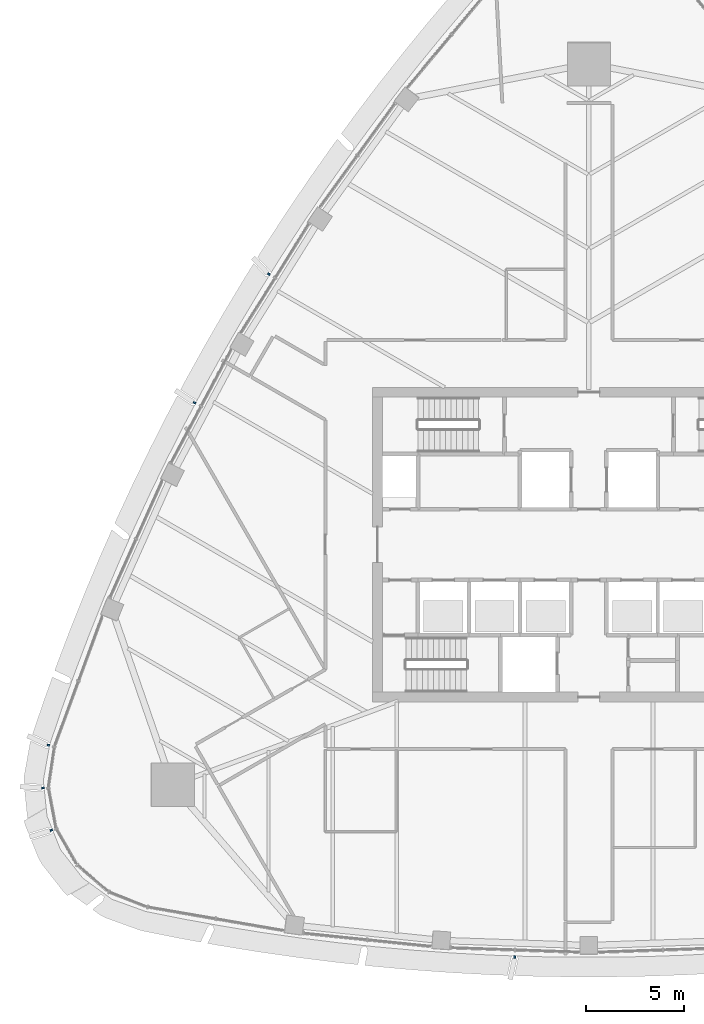
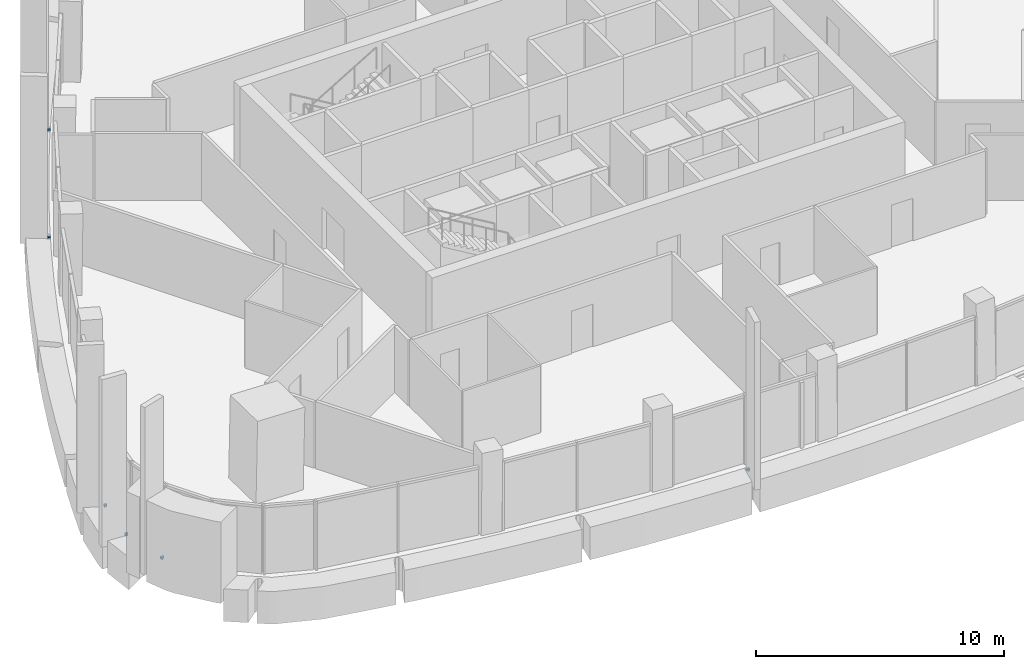
# One storey, part 12 of 16: 6 discrete accessories.
"""IFC4 building model written with IfcOpenShell, lengths in metres."""

from ifc_helpers import new_model, si_unit, direction, frame, origin, origin_2d, place, context, subcontext, project, spatial, rectangle, extrude, material, type_object, element, save


model = new_model("IFC4")

# Units and contexts
model_context = context("Model", 3, precision=1e-05, world=origin(), true_north=direction((0.0, 1.0)))
body_context = subcontext(model_context, "Body", "Model", "MODEL_VIEW")
ifc_project = project(units=[si_unit("LENGTHUNIT", "METRE"), si_unit("AREAUNIT", "SQUARE_METRE"), si_unit("VOLUMEUNIT", "CUBIC_METRE"), si_unit("PLANEANGLEUNIT", "RADIAN"), si_unit("MASSUNIT", "GRAM", prefix="KILO")], contexts=[model_context])

# Site, building, storey
site_placement = place(None, origin())
site = spatial("IfcSite", under=ifc_project, at=site_placement, CompositionType="ELEMENT")
building_placement = place(site_placement, origin())
building = spatial("IfcBuilding", under=site, at=building_placement, Name="Sierra Prisma Convention Tower", CompositionType="ELEMENT")
storey_placement = place(building_placement, frame((0.0, 0.0, 271.0)))
storey = spatial("IfcBuildingStorey", under=building, at=storey_placement, Name="L61", CompositionType="ELEMENT", Elevation=271.0)

# Discrete accessories
ifc_material = material(Name="Stainless steel 316", Category="steel")
discrete_accessory_type = type_object("IfcDiscreteAccessoryType", Name="Fin bracket", PredefinedType="BRACKET", material=ifc_material)
for number, where, z_axis, x_axis, name in (
    (1, (-3.77587890625, -20.976806640625, -0.135009765625), (0.0, 0.0, 1.0), (-0.035788462358, -0.999359387789, 0.0), "Fin bracket L61.8 base"),
    (2, (-16.278564453125, 13.75830078125, -0.135009765625), (0.0, 0.0, 1.0), (-0.847576386157, 0.530673411459, 0.0), "Fin bracket L61.52 base"),
    (3, (-20.05419921875, 7.218505859375, -0.135009765625), (0.0, 0.0, 1.0), (-0.883364848515, 0.46868597633, 0.0), "Fin bracket L61.55 base"),
    (4, (-27.485595703125, -10.197509765625, -0.135009765625), (0.0, 0.0, 1.0), (-0.984280626587, 0.176611574157, 0.0), "Fin bracket L61.62 base"),
    (5, (-27.7646484375, -12.373291015625, -0.135009765625), (0.0, 0.0, 1.0), (-0.994709046542, -0.102732238011, 0.0), "Fin bracket L61.63 base"),
    (6, (-27.33447265625, -14.51904296875, -0.135009765625), (0.0, 0.0, 1.0), (-0.927409193348, -0.374048376676, 0.0), "Fin bracket L61.64 base"),
):
    element("IfcDiscreteAccessory", number, at=place(storey_placement, frame(where, z_axis=z_axis, x_axis=x_axis)), inside=storey, type_object=discrete_accessory_type, Name=name, PredefinedType="BRACKET", context=body_context, shape_type="SweptSolid", body=[
        extrude(rectangle(XDim=0.1201171875, YDim=0.10009765625, at=origin_2d()), origin(), (0.0, 0.0, 1.0), 0.1201171875),
    ])

save(model, "model.ifc")
